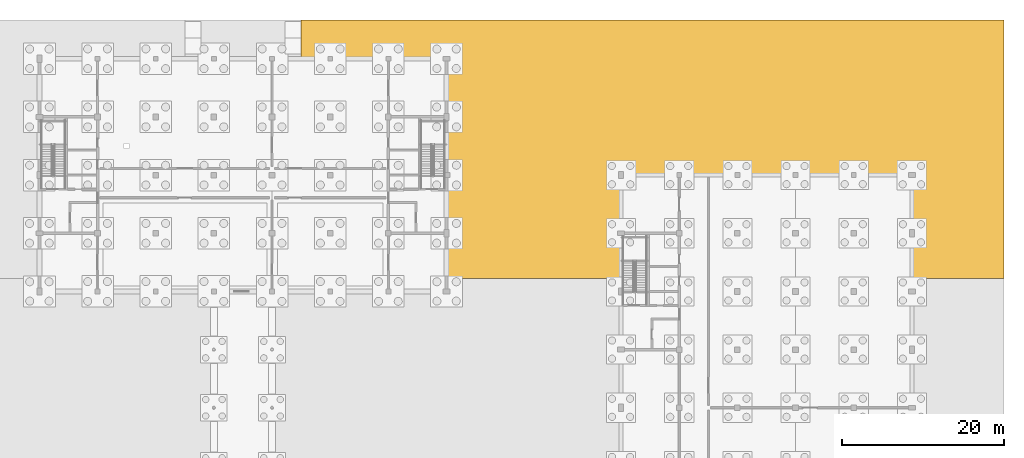
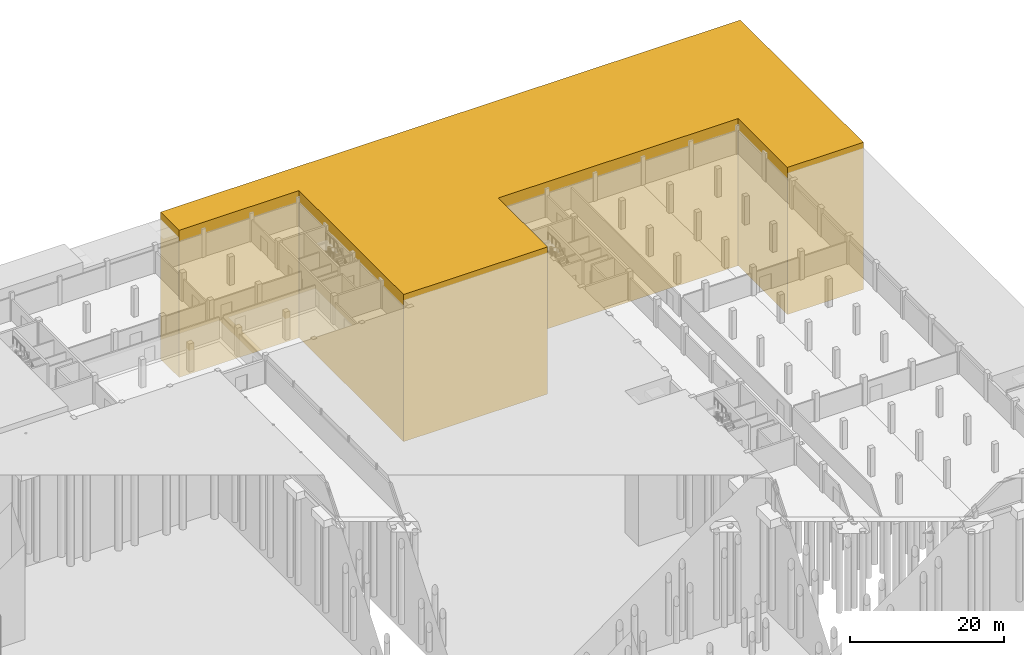
# One storey, part 51 of 51: 1 covering.
"""IFC4 building model written with IfcOpenShell, lengths in metres."""

from ifc_helpers import new_model, si_unit, direction, frame, origin, place, context, subcontext, project, spatial, polyline, outline, extrude, material, layer, layer_set, type_object, element, save


model = new_model("IFC4")

# Units and contexts
model_context = context("Model", 3, precision=1e-05, world=origin(), true_north=direction((0.0, 1.0)))
body_context = subcontext(model_context, "Body", "Model", "MODEL_VIEW")
ifc_project = project(units=[si_unit("LENGTHUNIT", "METRE"), si_unit("AREAUNIT", "SQUARE_METRE"), si_unit("VOLUMEUNIT", "CUBIC_METRE"), si_unit("PLANEANGLEUNIT", "RADIAN"), si_unit("MASSUNIT", "GRAM", prefix="KILO")], contexts=[model_context])

# Site, building, storey
site_placement = place(None, origin())
site = spatial("IfcSite", under=ifc_project, at=site_placement, CompositionType="ELEMENT")
building_placement = place(site_placement, origin())
building = spatial("IfcBuilding", under=site, at=building_placement, Name="Zlatovets Crest Museum", CompositionType="ELEMENT")
storey_placement = place(building_placement, frame((0.0, 0.0, -4.5)))
storey = spatial("IfcBuildingStorey", under=building, at=storey_placement, Name="B1", CompositionType="ELEMENT", Elevation=-4.5)

# Covering
ifc_material = material(Name="Bush-hammered Vratsa stone court paving", Category="masonry")
ifc_layer = layer(ifc_material, 0.080078125)
ifc_layer_set = layer_set([ifc_layer], Name="Bush-hammered Vratsa stone court paving")
covering_type = type_object("IfcCoveringType", Name="SitePaving_PV01", PredefinedType="USERDEFINED", material=ifc_layer_set)
covering_placement = place(storey_placement, frame((0.0, 0.0, -18.0)))
element("IfcCovering", 1, at=covering_placement, inside=storey, type_object=covering_type, Name="Stepped Vratsa Stone Hillside Plinth NORTH-CREST", ObjectType="PAVING", PredefinedType="USERDEFINED", context=body_context, shape_type="SweptSolid", body=[
    extrude(outline(polyline([(177.0, 120.0), (177.0, 88.0), (165.60009765625, 88.0), (165.60009765625, 100.800048828125), (129.60009765625, 100.800048828125), (129.60009765625, 88.0), (108.0, 88.0), (108.0, 115.199951171875), (90.0, 115.199951171875), (90.0, 120.0), (177.0, 120.0)])), origin(), (0.0, 0.0, 1.0), 23.35009765625),
])

save(model, "model.ifc")
